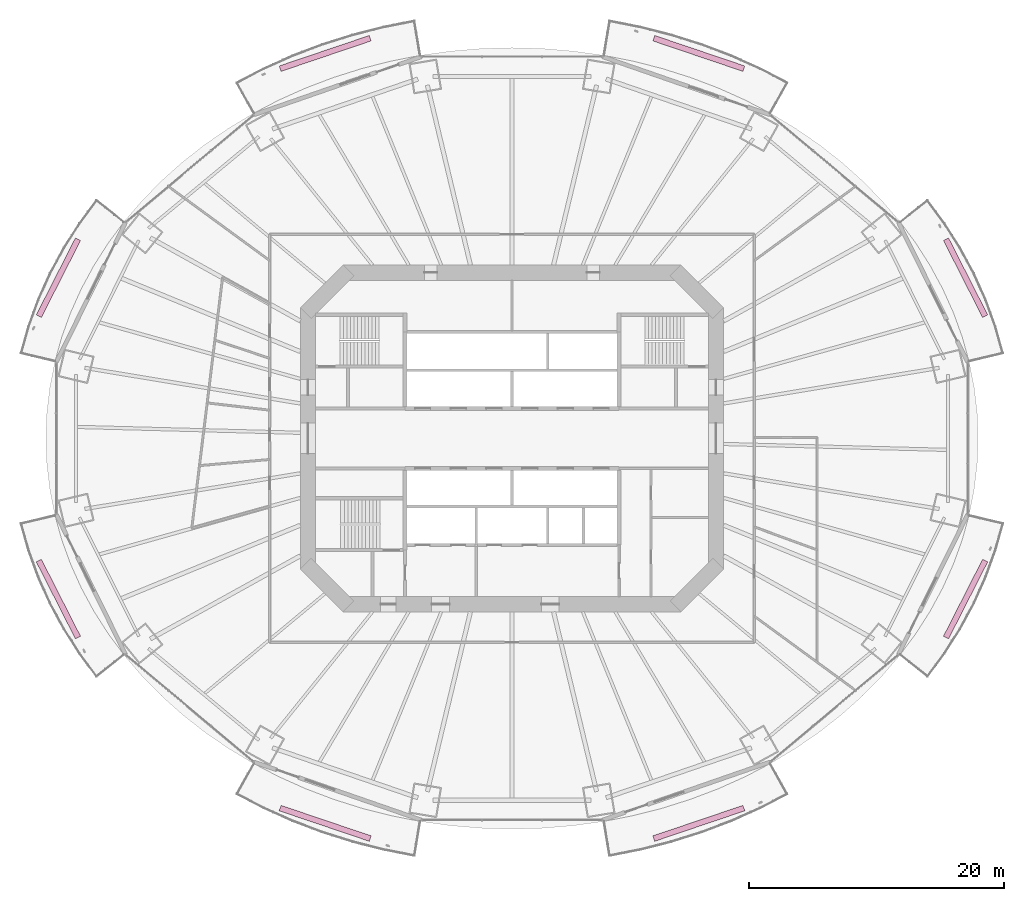
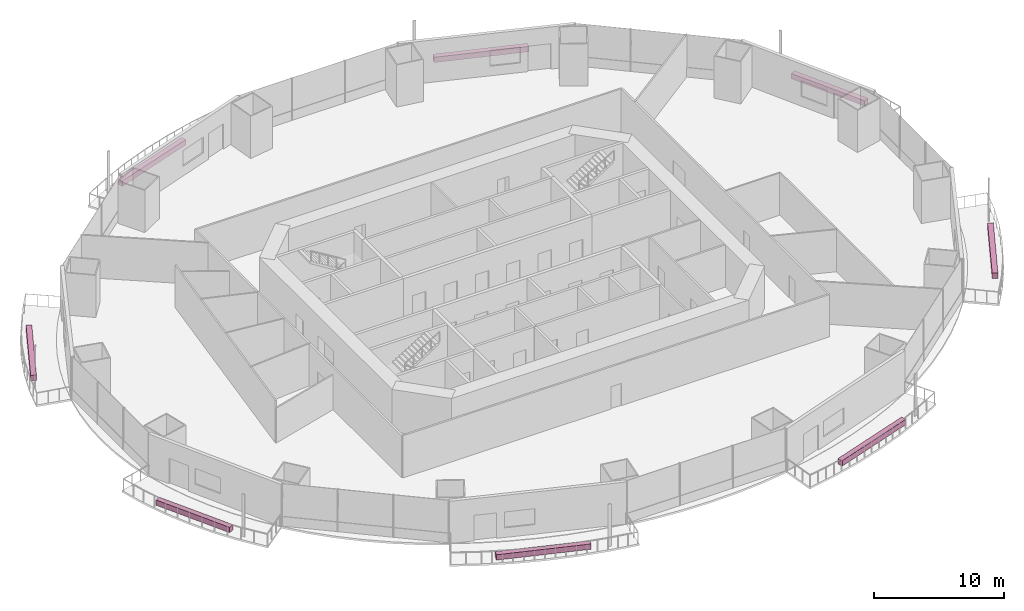
# One storey, part 23 of 23: 8 furnishings.
"""IFC4 building model written with IfcOpenShell, lengths in metres."""

from ifc_helpers import new_model, si_unit, direction, frame, origin, origin_2d, place, context, subcontext, project, spatial, rectangle, extrude, material, type_object, element, save


model = new_model("IFC4")

# Units and contexts
model_context = context("Model", 3, precision=1e-05, world=origin(), true_north=direction((0.0, 1.0)))
body_context = subcontext(model_context, "Body", "Model", "MODEL_VIEW")
ifc_project = project(units=[si_unit("LENGTHUNIT", "METRE"), si_unit("AREAUNIT", "SQUARE_METRE"), si_unit("VOLUMEUNIT", "CUBIC_METRE"), si_unit("PLANEANGLEUNIT", "RADIAN"), si_unit("MASSUNIT", "GRAM", prefix="KILO")], contexts=[model_context])

# Site, building, storey
site_placement = place(None, origin())
site = spatial("IfcSite", under=ifc_project, at=site_placement, CompositionType="ELEMENT")
building_placement = place(site_placement, origin())
building = spatial("IfcBuilding", under=site, at=building_placement, Name="Marenthal Gate Tower", CompositionType="ELEMENT")
storey_placement = place(building_placement, frame((0.0, 0.0, 49.60009765625)))
storey = spatial("IfcBuildingStorey", under=building, at=storey_placement, Name="L08", CompositionType="ELEMENT", Elevation=49.60009765625)

# Furnishings
ifc_material = material(Name="Planting soil and foliage", Category="planting")
furnishing_element_type = type_object("IfcFurnishingElementType", Name="Balcony PLANTER trough", material=ifc_material)
furnishing_1_placement = place(storey_placement, frame((35.56787109375, 12.59912109375, -0.0400390625), z_axis=(0.0, 0.0, 1.0), x_axis=(-0.453475609926, 0.891268686313, 0.0)))
element("IfcFurnishingElement", 1, at=furnishing_1_placement, inside=storey, type_object=furnishing_element_type, Name="Balcony PLANTER L08 bay 1", ObjectType="PLANTER", context=body_context, shape_type="SweptSolid", body=[
    extrude(rectangle(XDim=6.7705078125, YDim=0.449951171875, at=origin_2d()), origin(), (0.0, 0.0, 1.0), 0.5),
])
for number, where, z_axis, x_axis, name in (
    (2, (14.650390625, 30.185546875, -0.0400390625), (0.0, 0.0, 1.0), (-0.947271273085, 0.320432731142, 0.0), "Balcony PLANTER L08 bay 3"),
    (3, (-14.650390625, 30.185546875, -0.0400390625), (0.0, 0.0, 1.0), (-0.947271273085, -0.320432731142, 0.0), "Balcony PLANTER L08 bay 5"),
):
    element("IfcFurnishingElement", number, at=place(storey_placement, frame(where, z_axis=z_axis, x_axis=x_axis)), inside=storey, type_object=furnishing_element_type, Name=name, ObjectType="PLANTER", context=body_context, shape_type="SweptSolid", body=[
        extrude(rectangle(XDim=7.455810546875, YDim=0.449951171875, at=origin_2d()), origin(), (0.0, 0.0, 1.0), 0.5),
    ])
for number, where, z_axis, x_axis, name in (
    (4, (-35.56787109375, 12.59912109375, -0.0400390625), (0.0, 0.0, 1.0), (-0.453475609926, -0.891268686313, 0.0), "Balcony PLANTER L08 bay 7"),
    (5, (-35.56787109375, -12.59912109375, -0.0400390625), (0.0, 0.0, 1.0), (0.453475609926, -0.891268686313, 0.0), "Balcony PLANTER L08 bay 9"),
):
    element("IfcFurnishingElement", number, at=place(storey_placement, frame(where, z_axis=z_axis, x_axis=x_axis)), inside=storey, type_object=furnishing_element_type, Name=name, ObjectType="PLANTER", context=body_context, shape_type="SweptSolid", body=[
        extrude(rectangle(XDim=6.7705078125, YDim=0.449951171875, at=origin_2d()), origin(), (0.0, 0.0, 1.0), 0.5),
    ])
for number, where, z_axis, x_axis, name in (
    (6, (-14.650390625, -30.185546875, -0.0400390625), (0.0, 0.0, 1.0), (0.947271273085, -0.320432731142, 0.0), "Balcony PLANTER L08 bay 11"),
    (7, (14.650390625, -30.185546875, -0.0400390625), (0.0, 0.0, 1.0), (0.947271273085, 0.320432731142, 0.0), "Balcony PLANTER L08 bay 13"),
):
    element("IfcFurnishingElement", number, at=place(storey_placement, frame(where, z_axis=z_axis, x_axis=x_axis)), inside=storey, type_object=furnishing_element_type, Name=name, ObjectType="PLANTER", context=body_context, shape_type="SweptSolid", body=[
        extrude(rectangle(XDim=7.455810546875, YDim=0.449951171875, at=origin_2d()), origin(), (0.0, 0.0, 1.0), 0.5),
    ])
furnishing_2_placement = place(storey_placement, frame((35.56787109375, -12.59912109375, -0.0400390625), z_axis=(0.0, 0.0, 1.0), x_axis=(0.453475609926, 0.891268686313, 0.0)))
element("IfcFurnishingElement", 8, at=furnishing_2_placement, inside=storey, type_object=furnishing_element_type, Name="Balcony PLANTER L08 bay 15", ObjectType="PLANTER", context=body_context, shape_type="SweptSolid", body=[
    extrude(rectangle(XDim=6.7705078125, YDim=0.449951171875, at=origin_2d()), origin(), (0.0, 0.0, 1.0), 0.5),
])

save(model, "model.ifc")
